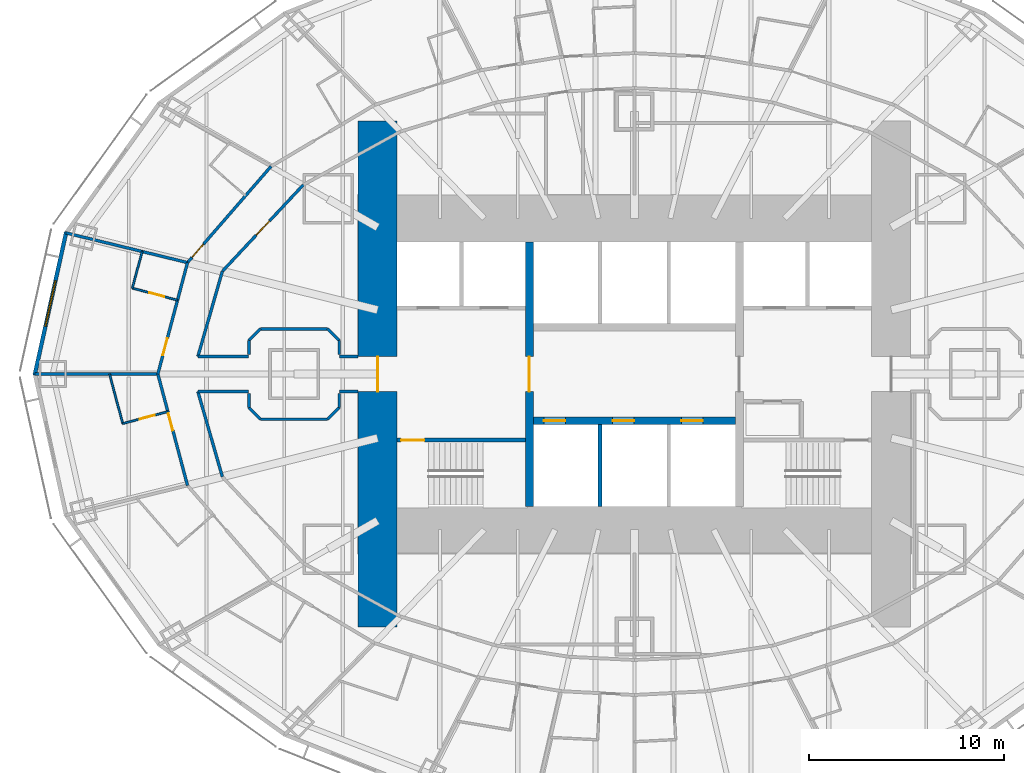
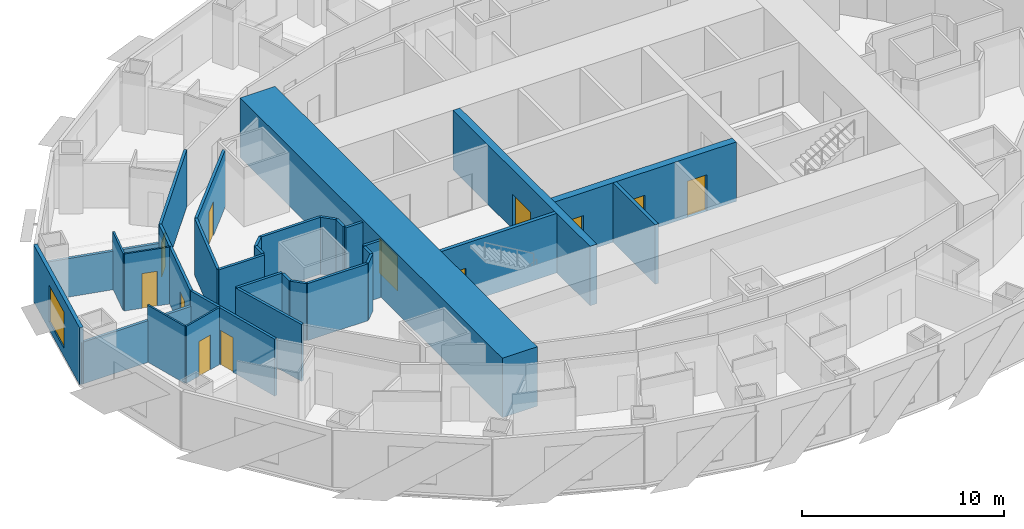
# One storey, part 6 of 15: 32 walls, 12 doors, 1 window, 13 openings.
"""IFC4 building model written with IfcOpenShell, lengths in metres."""

from ifc_helpers import new_model, si_unit, direction, frame, frame_2d, origin, place, context, subcontext, project, spatial, rectangle, extrude, material, layer, layer_set, type_object, element, fill, save


model = new_model("IFC4")

# Units and contexts
model_context = context("Model", 3, precision=1e-05, world=origin(), true_north=direction((0.0, 1.0)))
body_context = subcontext(model_context, "Body", "Model", "MODEL_VIEW")
ifc_project = project(units=[si_unit("LENGTHUNIT", "METRE"), si_unit("AREAUNIT", "SQUARE_METRE"), si_unit("VOLUMEUNIT", "CUBIC_METRE"), si_unit("PLANEANGLEUNIT", "RADIAN"), si_unit("MASSUNIT", "GRAM", prefix="KILO")], contexts=[model_context])

# Site, building, storey
site_placement = place(None, origin())
site = spatial("IfcSite", under=ifc_project, at=site_placement, CompositionType="ELEMENT")
building_placement = place(site_placement, origin())
building = spatial("IfcBuilding", under=site, at=building_placement, Name="Lantaw Convention Tower", CompositionType="ELEMENT")
storey_placement = place(building_placement, frame((0.0, 0.0, 58.60009765625)))
storey = spatial("IfcBuildingStorey", under=building, at=storey_placement, Name="L12", CompositionType="ELEMENT", Elevation=58.60009765625)

# Wall, opening, door
ifc_material_1 = material(Name="Moisture resistant gypsum board on steel studs", Category="steel")
ifc_layer_1 = layer(ifc_material_1, 0.10009765625)
ifc_layer_set_1 = layer_set([ifc_layer_1], Name="Bathroom wall 100")
wall_type_1 = type_object("IfcWallType", Name="Bathroom wall 100", PredefinedType="PARTITIONING", material=ifc_layer_set_1)
wall_1_placement = place(storey_placement, frame((-23.490234375, 3.7958984375, 0.0), z_axis=(0.0, 0.0, 1.0), x_axis=(-0.96639514992, 0.257061109879, 0.0)))
wall_1 = element("IfcWall", 1, at=wall_1_placement, inside=storey, type_object=wall_type_1, Name="Bathroom wall 100", PredefinedType="PARTITIONING", context=body_context, shape_type="SweptSolid", body=[
    extrude(rectangle(XDim=2.39990234375, YDim=0.10009765625, at=frame_2d((1.199951171875, 0.0))), origin(), (0.0, 0.0, 1.0), 3.449951171875),
])
opening_1_placement = place(wall_1_placement, frame((0.699951171875, 0.0, 0.0)))
opening_1 = element("IfcOpeningElement", 2, at=opening_1_placement, cuts=wall_1, Name="Opening L12.41", PredefinedType="OPENING", context=body_context, shape_type="SweptSolid", body=[
    extrude(rectangle(XDim=0.800048828125, YDim=2.10009765625, at=frame_2d((0.39990234375, 1.050048828125))), frame((0.0, 0.06005859375, 0.0), z_axis=(0.0, -1.0, 0.0), x_axis=(1.0, 0.0, 0.0)), (0.0, 0.0, 1.0), 0.1201171875),
])
ifc_material_2 = material(Name="Timber", Category="wood")
door_type_1 = type_object("IfcDoorType", Name="Bathroom door 800", OperationType="SINGLE_SWING_LEFT", PredefinedType="DOOR", material=ifc_material_2)
door_1_placement = place(opening_1_placement, origin())
door_1 = element("IfcDoor", 3, at=door_1_placement, inside=storey, type_object=door_type_1, Name="Bathroom door", OperationType="SINGLE_SWING_LEFT", OverallHeight=2.10009765625, OverallWidth=0.800048828125, PredefinedType="DOOR", context=body_context, shape_type="SweptSolid", body=[
    extrude(rectangle(XDim=0.800048828125, YDim=2.10009765625, at=frame_2d((0.39990234375, 1.050048828125))), frame((0.0, 0.02490234375, 0.0), z_axis=(0.0, -1.0, 0.0), x_axis=(1.0, 0.0, 0.0)), (0.0, 0.0, 1.0), 0.050048828125),
])
fill(opening_1, door_1)

# Wall
wall_2_placement = place(storey_placement, frame((-25.8095703125, 4.412841796875, 0.0), z_axis=(0.0, 0.0, 1.0), x_axis=(0.257143831715, 0.96637314212, 0.0)))
element("IfcWall", 4, at=wall_2_placement, inside=storey, type_object=wall_type_1, Name="Bathroom wall 100", PredefinedType="PARTITIONING", context=body_context, shape_type="SweptSolid", body=[
    extrude(rectangle(XDim=1.96240234375, YDim=0.10009765625, at=frame_2d((0.981201171875, 0.0))), origin(), (0.0, 0.0, 1.0), 3.449951171875),
])

# Wall, opening, door
wall_3_placement = place(storey_placement, frame((-23.98583984375, -1.932861328125, 0.0), z_axis=(0.0, 0.0, 1.0), x_axis=(-0.96639514992, -0.257061109879, 0.0)))
wall_3 = element("IfcWall", 5, at=wall_3_placement, inside=storey, type_object=wall_type_1, Name="Bathroom wall 100", PredefinedType="PARTITIONING", context=body_context, shape_type="SweptSolid", body=[
    extrude(rectangle(XDim=2.39990234375, YDim=0.10009765625, at=frame_2d((1.199951171875, 0.0))), origin(), (0.0, 0.0, 1.0), 3.449951171875),
])
opening_2_placement = place(wall_3_placement, frame((0.699951171875, 0.0, 0.0)))
opening_2 = element("IfcOpeningElement", 6, at=opening_2_placement, cuts=wall_3, Name="Opening L12.43", PredefinedType="OPENING", context=body_context, shape_type="SweptSolid", body=[
    extrude(rectangle(XDim=0.800048828125, YDim=2.10009765625, at=frame_2d((0.39990234375, 1.050048828125))), frame((0.0, 0.06005859375, 0.0), z_axis=(0.0, -1.0, 0.0), x_axis=(1.0, 0.0, 0.0)), (0.0, 0.0, 1.0), 0.1201171875),
])
door_2_placement = place(opening_2_placement, origin())
door_2 = element("IfcDoor", 7, at=door_2_placement, inside=storey, type_object=door_type_1, Name="Bathroom door", OperationType="SINGLE_SWING_LEFT", OverallHeight=2.10009765625, OverallWidth=0.800048828125, PredefinedType="DOOR", context=body_context, shape_type="SweptSolid", body=[
    extrude(rectangle(XDim=0.800048828125, YDim=2.10009765625, at=frame_2d((0.39990234375, 1.050048828125))), frame((0.0, 0.02490234375, 0.0), z_axis=(0.0, -1.0, 0.0), x_axis=(1.0, 0.0, 0.0)), (0.0, 0.0, 1.0), 0.050048828125),
])
fill(opening_2, door_2)

# Wall
wall_4_placement = place(storey_placement, frame((-26.30517578125, -2.5498046875, 0.0), z_axis=(0.0, 0.0, 1.0), x_axis=(-0.257052122515, 0.966397540513, 0.0)))
element("IfcWall", 8, at=wall_4_placement, inside=storey, type_object=wall_type_1, Name="Bathroom wall 100", PredefinedType="PARTITIONING", context=body_context, shape_type="SweptSolid", body=[
    extrude(rectangle(XDim=2.638427734375, YDim=0.10009765625, at=frame_2d((1.3193359375, 0.0))), origin(), (0.0, 0.0, 1.0), 3.449951171875),
])

# Wall, opening, door
ifc_material_3 = material(Name="Concrete C60/75", Category="concrete")
ifc_layer_2 = layer(ifc_material_3, 0.199951171875)
ifc_layer_set_2 = layer_set([ifc_layer_2], Name="Core wall 200")
wall_type_2 = type_object("IfcWallType", Name="Core wall 200", PredefinedType="SHEAR", material=ifc_layer_set_2)
wall_5_placement = place(storey_placement, frame((-5.60009765625, -3.39990234375, 0.0), z_axis=(0.0, 0.0, 1.0), x_axis=(-1.0, 0.0, 0.0)))
wall_5 = element("IfcWall", 9, at=wall_5_placement, inside=storey, type_object=wall_type_2, Name="Core wall WS", PredefinedType="SHEAR", context=body_context, shape_type="SweptSolid", body=[
    extrude(rectangle(XDim=6.599853515625, YDim=0.199951171875, at=frame_2d((3.2998046875, 0.0))), origin(), (0.0, 0.0, 1.0), 3.599853515625),
])
opening_3_placement = place(wall_5_placement, frame((5.199951171875, 0.0, 0.0)))
opening_3 = element("IfcOpeningElement", 10, at=opening_3_placement, cuts=wall_5, Name="Opening L12.05", PredefinedType="OPENING", context=body_context, shape_type="SweptSolid", body=[
    extrude(rectangle(XDim=1.199951171875, YDim=2.10009765625, at=frame_2d((0.60009765625, 1.050048828125))), frame((0.0, 0.10986328125, 0.0), z_axis=(0.0, -1.0, 0.0), x_axis=(1.0, 0.0, 0.0)), (0.0, 0.0, 1.0), 0.219970703125),
])
ifc_material_4 = material(Name="Steel, fire rated", Category="steel")
door_type_2 = type_object("IfcDoorType", Name="Stair door FD90", OperationType="SINGLE_SWING_RIGHT", PredefinedType="DOOR", material=ifc_material_4)
door_3_placement = place(opening_3_placement, origin())
door_3 = element("IfcDoor", 11, at=door_3_placement, inside=storey, type_object=door_type_2, Name="Exit stair door", OperationType="SINGLE_SWING_RIGHT", OverallHeight=2.10009765625, OverallWidth=1.199951171875, PredefinedType="DOOR", context=body_context, shape_type="SweptSolid", body=[
    extrude(rectangle(XDim=1.199951171875, YDim=2.10009765625, at=frame_2d((0.60009765625, 1.050048828125))), frame((0.0, 0.02490234375, 0.0), z_axis=(0.0, -1.0, 0.0), x_axis=(1.0, 0.0, 0.0)), (0.0, 0.0, 1.0), 0.050048828125),
])
fill(opening_3, door_3)

ifc_layer_3 = layer(ifc_material_3, 2.0)
ifc_layer_set_3 = layer_set([ifc_layer_3], Name="Core wall 2000")
wall_type_3 = type_object("IfcWallType", Name="Core wall 2000", PredefinedType="SHEAR", material=ifc_layer_set_3)
wall_6_placement = place(storey_placement, frame((-13.199951171875, 13.0, 0.0), z_axis=(0.0, 0.0, 1.0), x_axis=(0.0, -1.0, 0.0)))
wall_6 = element("IfcWall", 12, at=wall_6_placement, inside=storey, type_object=wall_type_3, Name="Core wall W", PredefinedType="SHEAR", context=body_context, shape_type="SweptSolid", body=[
    extrude(rectangle(XDim=26.0, YDim=2.0, at=frame_2d((13.0, 0.0))), origin(), (0.0, 0.0, 1.0), 3.599853515625),
])
opening_4_placement = place(wall_6_placement, frame((12.10009765625, 0.0, 0.0)))
opening_4 = element("IfcOpeningElement", 13, at=opening_4_placement, cuts=wall_6, Name="Opening L12.07", PredefinedType="OPENING", context=body_context, shape_type="SweptSolid", body=[
    extrude(rectangle(XDim=1.800048828125, YDim=2.10009765625, at=frame_2d((0.89990234375, 1.050048828125))), frame((0.0, 1.010009765625, 0.0), z_axis=(0.0, -1.0, 0.0), x_axis=(1.0, 0.0, 0.0)), (0.0, 0.0, 1.0), 2.02001953125),
])
door_type_3 = type_object("IfcDoorType", Name="Lobby double door FD90", OperationType="DOUBLE_DOOR_DOUBLE_SWING", PredefinedType="DOOR", material=ifc_material_4)
door_4_placement = place(opening_4_placement, origin())
door_4 = element("IfcDoor", 14, at=door_4_placement, inside=storey, type_object=door_type_3, Name="Firefighting lobby door", OperationType="DOUBLE_DOOR_DOUBLE_SWING", OverallHeight=2.10009765625, OverallWidth=1.800048828125, PredefinedType="DOOR", context=body_context, shape_type="SweptSolid", body=[
    extrude(rectangle(XDim=1.800048828125, YDim=2.10009765625, at=frame_2d((0.89990234375, 1.050048828125))), frame((0.0, 0.02490234375, 0.0), z_axis=(0.0, -1.0, 0.0), x_axis=(1.0, 0.0, 0.0)), (0.0, 0.0, 1.0), 0.050048828125),
])
fill(opening_4, door_4)

ifc_layer_4 = layer(ifc_material_3, 0.39990234375)
ifc_layer_set_4 = layer_set([ifc_layer_4], Name="Core wall 400")
wall_type_4 = type_object("IfcWallType", Name="Core wall 400", PredefinedType="SHEAR", material=ifc_layer_set_4)
wall_7_placement = place(storey_placement, frame((-5.39990234375, 6.800048828125, 0.0), z_axis=(0.0, 0.0, 1.0), x_axis=(0.0, -1.0, 0.0)))
wall_7 = element("IfcWall", 15, at=wall_7_placement, inside=storey, type_object=wall_type_4, Name="Core wall XW", PredefinedType="SHEAR", context=body_context, shape_type="SweptSolid", body=[
    extrude(rectangle(XDim=13.60009765625, YDim=0.39990234375, at=frame_2d((6.800048828125, 0.0))), origin(), (0.0, 0.0, 1.0), 3.599853515625),
])
opening_5_placement = place(wall_7_placement, frame((5.89990234375, 0.0, 0.0)))
opening_5 = element("IfcOpeningElement", 16, at=opening_5_placement, cuts=wall_7, Name="Opening L12.03", PredefinedType="OPENING", context=body_context, shape_type="SweptSolid", body=[
    extrude(rectangle(XDim=1.800048828125, YDim=2.10009765625, at=frame_2d((0.89990234375, 1.050048828125))), frame((0.0, 0.2099609375, 0.0), z_axis=(0.0, -1.0, 0.0), x_axis=(1.0, 0.0, 0.0)), (0.0, 0.0, 1.0), 0.419921875),
])
door_5_placement = place(opening_5_placement, origin())
door_5 = element("IfcDoor", 17, at=door_5_placement, inside=storey, type_object=door_type_3, Name="Lift lobby door", OperationType="DOUBLE_DOOR_DOUBLE_SWING", OverallHeight=2.10009765625, OverallWidth=1.800048828125, PredefinedType="DOOR", context=body_context, shape_type="SweptSolid", body=[
    extrude(rectangle(XDim=1.800048828125, YDim=2.10009765625, at=frame_2d((0.89990234375, 1.050048828125))), frame((0.0, 0.02490234375, 0.0), z_axis=(0.0, -1.0, 0.0), x_axis=(1.0, 0.0, 0.0)), (0.0, 0.0, 1.0), 0.050048828125),
])
fill(opening_5, door_5)

# Wall, openings, doors
wall_8_placement = place(storey_placement, frame((-5.199951171875, -2.39990234375, 0.0), z_axis=(0.0, 0.0, 1.0), x_axis=(1.0, 0.0, 0.0)))
wall_8 = element("IfcWall", 18, at=wall_8_placement, inside=storey, type_object=wall_type_4, Name="Core wall BS", PredefinedType="SHEAR", context=body_context, shape_type="SweptSolid", body=[
    extrude(rectangle(XDim=10.39990234375, YDim=0.39990234375, at=frame_2d((5.199951171875, 0.0))), origin(), (0.0, 0.0, 1.0), 3.599853515625),
])
opening_6_placement = place(wall_8_placement, frame((0.550048828125, 0.0, 0.0)))
opening_6 = element("IfcOpeningElement", 19, at=opening_6_placement, cuts=wall_8, Name="Opening L12.08", PredefinedType="OPENING", context=body_context, shape_type="SweptSolid", body=[
    extrude(rectangle(XDim=1.10009765625, YDim=2.199951171875, at=frame_2d((0.550048828125, 1.10009765625))), frame((0.0, 0.2099609375, 0.0), z_axis=(0.0, -1.0, 0.0), x_axis=(1.0, 0.0, 0.0)), (0.0, 0.0, 1.0), 0.419921875),
])
opening_7_placement = place(wall_8_placement, frame((4.083251953125, 0.0, 0.0)))
opening_7 = element("IfcOpeningElement", 20, at=opening_7_placement, cuts=wall_8, Name="Opening L12.09", PredefinedType="OPENING", context=body_context, shape_type="SweptSolid", body=[
    extrude(rectangle(XDim=1.10009765625, YDim=2.199951171875, at=frame_2d((0.550048828125, 1.10009765625))), frame((0.0, 0.2099609375, 0.0), z_axis=(0.0, -1.0, 0.0), x_axis=(1.0, 0.0, 0.0)), (0.0, 0.0, 1.0), 0.419921875),
])
opening_8_placement = place(wall_8_placement, frame((7.61669921875, 0.0, 0.0)))
opening_8 = element("IfcOpeningElement", 21, at=opening_8_placement, cuts=wall_8, Name="Opening L12.10", PredefinedType="OPENING", context=body_context, shape_type="SweptSolid", body=[
    extrude(rectangle(XDim=1.10009765625, YDim=2.199951171875, at=frame_2d((0.550048828125, 1.10009765625))), frame((0.0, 0.2099609375, 0.0), z_axis=(0.0, -1.0, 0.0), x_axis=(1.0, 0.0, 0.0)), (0.0, 0.0, 1.0), 0.419921875),
])
ifc_material_5 = material(Name="Stainless steel", Category="steel")
door_type_4 = type_object("IfcDoorType", Name="Lift landing door 1100", OperationType="DOUBLE_DOOR_SLIDING", PredefinedType="DOOR", material=ifc_material_5)
door_6_placement = place(opening_6_placement, origin())
door_6 = element("IfcDoor", 22, at=door_6_placement, inside=storey, type_object=door_type_4, Name="Lift landing door H1", OperationType="DOUBLE_DOOR_SLIDING", OverallHeight=2.199951171875, OverallWidth=1.10009765625, PredefinedType="DOOR", context=body_context, shape_type="SweptSolid", body=[
    extrude(rectangle(XDim=1.10009765625, YDim=2.199951171875, at=frame_2d((0.550048828125, 1.10009765625))), frame((0.0, 0.02490234375, 0.0), z_axis=(0.0, -1.0, 0.0), x_axis=(1.0, 0.0, 0.0)), (0.0, 0.0, 1.0), 0.050048828125),
])
fill(opening_6, door_6)
door_7_placement = place(opening_7_placement, origin())
door_7 = element("IfcDoor", 23, at=door_7_placement, inside=storey, type_object=door_type_4, Name="Lift landing door H2", OperationType="DOUBLE_DOOR_SLIDING", OverallHeight=2.199951171875, OverallWidth=1.10009765625, PredefinedType="DOOR", context=body_context, shape_type="SweptSolid", body=[
    extrude(rectangle(XDim=1.10009765625, YDim=2.199951171875, at=frame_2d((0.550048828125, 1.10009765625))), frame((0.0, 0.02490234375, 0.0), z_axis=(0.0, -1.0, 0.0), x_axis=(1.0, 0.0, 0.0)), (0.0, 0.0, 1.0), 0.050048828125),
])
fill(opening_7, door_7)
door_8_placement = place(opening_8_placement, origin())
door_8 = element("IfcDoor", 24, at=door_8_placement, inside=storey, type_object=door_type_4, Name="Lift landing door H3", OperationType="DOUBLE_DOOR_SLIDING", OverallHeight=2.199951171875, OverallWidth=1.10009765625, PredefinedType="DOOR", context=body_context, shape_type="SweptSolid", body=[
    extrude(rectangle(XDim=1.10009765625, YDim=2.199951171875, at=frame_2d((0.550048828125, 1.10009765625))), frame((0.0, 0.02490234375, 0.0), z_axis=(0.0, -1.0, 0.0), x_axis=(1.0, 0.0, 0.0)), (0.0, 0.0, 1.0), 0.050048828125),
])
fill(opening_8, door_8)

# Wall, opening, door
ifc_material_6 = material(Name="Gypsum board on steel studs, fire rated", Category="steel")
ifc_layer_5 = layer(ifc_material_6, 0.14990234375)
ifc_layer_set_5 = layer_set([ifc_layer_5], Name="Corridor wall 150 EI 60")
wall_type_5 = type_object("IfcWallType", Name="Corridor wall 150 EI 60", PredefinedType="PARTITIONING", material=ifc_layer_set_5)
wall_9_placement = place(storey_placement, frame((-18.681396484375, 10.675048828125, 0.0), z_axis=(0.0, 0.0, 1.0), x_axis=(-0.655599989166, -0.755108372491, 0.0)))
wall_9 = element("IfcWall", 25, at=wall_9_placement, inside=storey, type_object=wall_type_5, Name="Corridor wall 150", PredefinedType="PARTITIONING", context=body_context, shape_type="SweptSolid", body=[
    extrude(rectangle(XDim=6.55078125, YDim=0.14990234375, at=frame_2d((3.275390625, 0.0))), origin(), (0.0, 0.0, 1.0), 3.449951171875),
])
opening_9_placement = place(wall_9_placement, frame((5.30078125, 0.0, 0.0)))
opening_9 = element("IfcOpeningElement", 26, at=opening_9_placement, cuts=wall_9, Name="Opening L12.40", PredefinedType="OPENING", context=body_context, shape_type="SweptSolid", body=[
    extrude(rectangle(XDim=0.89990234375, YDim=2.10009765625, at=frame_2d((0.449951171875, 1.050048828125))), frame((0.0, 0.0849609375, 0.0), z_axis=(0.0, -1.0, 0.0), x_axis=(1.0, 0.0, 0.0)), (0.0, 0.0, 1.0), 0.169921875),
])
door_type_5 = type_object("IfcDoorType", Name="Guest room entrance door FD30S", OperationType="SINGLE_SWING_LEFT", PredefinedType="DOOR", material=ifc_material_4)
door_9_placement = place(opening_9_placement, origin())
door_9 = element("IfcDoor", 27, at=door_9_placement, inside=storey, type_object=door_type_5, Name="Guest room entrance door", OperationType="SINGLE_SWING_LEFT", OverallHeight=2.10009765625, OverallWidth=0.89990234375, PredefinedType="DOOR", context=body_context, shape_type="SweptSolid", body=[
    extrude(rectangle(XDim=0.89990234375, YDim=2.10009765625, at=frame_2d((0.449951171875, 1.050048828125))), frame((0.0, 0.02490234375, 0.0), z_axis=(0.0, -1.0, 0.0), x_axis=(1.0, 0.0, 0.0)), (0.0, 0.0, 1.0), 0.050048828125),
])
fill(opening_9, door_9)

wall_10_placement = place(storey_placement, frame((-22.97607421875, 5.728515625, 0.0), z_axis=(0.0, 0.0, 1.0), x_axis=(-0.257083265334, -0.966389256296, 0.0)))
wall_10 = element("IfcWall", 28, at=wall_10_placement, inside=storey, type_object=wall_type_5, Name="Corridor wall 150", PredefinedType="PARTITIONING", context=body_context, shape_type="SweptSolid", body=[
    extrude(rectangle(XDim=5.927734375, YDim=0.14990234375, at=frame_2d((2.9638671875, 0.0))), origin(), (0.0, 0.0, 1.0), 3.449951171875),
])
opening_10_placement = place(wall_10_placement, frame((4.023193359375, 0.0, 0.0)))
opening_10 = element("IfcOpeningElement", 29, at=opening_10_placement, cuts=wall_10, Name="Opening L12.42", PredefinedType="OPENING", context=body_context, shape_type="SweptSolid", body=[
    extrude(rectangle(XDim=0.89990234375, YDim=2.10009765625, at=frame_2d((0.449951171875, 1.050048828125))), frame((0.0, 0.0849609375, 0.0), z_axis=(0.0, -1.0, 0.0), x_axis=(1.0, 0.0, 0.0)), (0.0, 0.0, 1.0), 0.169921875),
])
door_10_placement = place(opening_10_placement, origin())
door_10 = element("IfcDoor", 30, at=door_10_placement, inside=storey, type_object=door_type_5, Name="Guest room entrance door", OperationType="SINGLE_SWING_LEFT", OverallHeight=2.10009765625, OverallWidth=0.89990234375, PredefinedType="DOOR", context=body_context, shape_type="SweptSolid", body=[
    extrude(rectangle(XDim=0.89990234375, YDim=2.10009765625, at=frame_2d((0.449951171875, 1.050048828125))), frame((0.0, 0.02490234375, 0.0), z_axis=(0.0, -1.0, 0.0), x_axis=(1.0, 0.0, 0.0)), (0.0, 0.0, 1.0), 0.050048828125),
])
fill(opening_10, door_10)

wall_11_placement = place(storey_placement, frame((-24.5, 0.0, 0.0), z_axis=(0.0, 0.0, 1.0), x_axis=(0.257083265334, -0.966389256296, 0.0)))
wall_11 = element("IfcWall", 31, at=wall_11_placement, inside=storey, type_object=wall_type_5, Name="Corridor wall 150", PredefinedType="PARTITIONING", context=body_context, shape_type="SweptSolid", body=[
    extrude(rectangle(XDim=5.927734375, YDim=0.14990234375, at=frame_2d((2.9638671875, 0.0))), origin(), (0.0, 0.0, 1.0), 3.449951171875),
])
opening_11_placement = place(wall_11_placement, frame((2.10009765625, 0.0, 0.0)))
opening_11 = element("IfcOpeningElement", 32, at=opening_11_placement, cuts=wall_11, Name="Opening L12.44", PredefinedType="OPENING", context=body_context, shape_type="SweptSolid", body=[
    extrude(rectangle(XDim=0.89990234375, YDim=2.10009765625, at=frame_2d((0.449951171875, 1.050048828125))), frame((0.0, 0.0849609375, 0.0), z_axis=(0.0, -1.0, 0.0), x_axis=(1.0, 0.0, 0.0)), (0.0, 0.0, 1.0), 0.169921875),
])
door_11_placement = place(opening_11_placement, origin())
door_11 = element("IfcDoor", 33, at=door_11_placement, inside=storey, type_object=door_type_5, Name="Guest room entrance door", OperationType="SINGLE_SWING_LEFT", OverallHeight=2.10009765625, OverallWidth=0.89990234375, PredefinedType="DOOR", context=body_context, shape_type="SweptSolid", body=[
    extrude(rectangle(XDim=0.89990234375, YDim=2.10009765625, at=frame_2d((0.449951171875, 1.050048828125))), frame((0.0, 0.02490234375, 0.0), z_axis=(0.0, -1.0, 0.0), x_axis=(1.0, 0.0, 0.0)), (0.0, 0.0, 1.0), 0.050048828125),
])
fill(opening_11, door_11)

wall_12_placement = place(storey_placement, frame((-17.020751953125, 9.72607421875, 0.0), z_axis=(0.0, 0.0, 1.0), x_axis=(-0.68365836236, -0.729802194828, 0.0)))
wall_12 = element("IfcWall", 34, at=wall_12_placement, inside=storey, type_object=wall_type_5, Name="Corridor wall 150", PredefinedType="PARTITIONING", context=body_context, shape_type="SweptSolid", body=[
    extrude(rectangle(XDim=6.08984375, YDim=0.14990234375, at=frame_2d((3.044921875, 0.0))), origin(), (0.0, 0.0, 1.0), 3.449951171875),
])
opening_12_placement = place(wall_12_placement, frame((2.544921875, 0.0, 0.0)))
opening_12 = element("IfcOpeningElement", 35, at=opening_12_placement, cuts=wall_12, Name="Opening L12.20", PredefinedType="OPENING", context=body_context, shape_type="SweptSolid", body=[
    extrude(rectangle(XDim=1.0, YDim=2.10009765625, at=frame_2d((0.5, 1.050048828125))), frame((0.0, 0.0849609375, 0.0), z_axis=(0.0, -1.0, 0.0), x_axis=(1.0, 0.0, 0.0)), (0.0, 0.0, 1.0), 0.169921875),
])
door_type_6 = type_object("IfcDoorType", Name="Service door 1000 FD30", OperationType="SINGLE_SWING_LEFT", PredefinedType="DOOR", material=ifc_material_4)
door_12_placement = place(opening_12_placement, origin())
door_12 = element("IfcDoor", 36, at=door_12_placement, inside=storey, type_object=door_type_6, Name="Housekeeping room door", OperationType="SINGLE_SWING_LEFT", OverallHeight=2.10009765625, OverallWidth=1.0, PredefinedType="DOOR", context=body_context, shape_type="SweptSolid", body=[
    extrude(rectangle(XDim=1.0, YDim=2.10009765625, at=frame_2d((0.5, 1.050048828125))), frame((0.0, 0.02490234375, 0.0), z_axis=(0.0, -1.0, 0.0), x_axis=(1.0, 0.0, 0.0)), (0.0, 0.0, 1.0), 0.050048828125),
])
fill(opening_12, door_12)

# Walls
for number, where, z_axis, x_axis, name in (
    (37, (-21.18408203125, 5.28173828125, 0.0), (0.0, 0.0, 1.0), (-0.27585972825, -0.961197903831, 0.0), "Corridor wall 150"),
    (38, (-22.441650390625, -0.89990234375, 0.0), (0.0, 0.0, 1.0), (0.27585972825, -0.961197903831, 0.0), "Corridor wall 150"),
):
    element("IfcWall", number, at=place(storey_placement, frame(where, z_axis=z_axis, x_axis=x_axis)), inside=storey, type_object=wall_type_5, Name=name, PredefinedType="PARTITIONING", context=body_context, shape_type="SweptSolid", body=[
        extrude(rectangle(XDim=4.558837890625, YDim=0.14990234375, at=frame_2d((2.279296875, 0.0))), origin(), (0.0, 0.0, 1.0), 3.449951171875),
    ])
wall_13_placement = place(storey_placement, frame((-14.199951171875, -0.89990234375, 0.0), z_axis=(0.0, 0.0, 1.0), x_axis=(-1.0, 0.0, 0.0)))
element("IfcWall", 39, at=wall_13_placement, inside=storey, type_object=wall_type_5, Name="Corridor wall 150", PredefinedType="PARTITIONING", context=body_context, shape_type="SweptSolid", body=[
    extrude(rectangle(XDim=0.965087890625, YDim=0.14990234375, at=frame_2d((0.482421875, 0.0))), origin(), (0.0, 0.0, 1.0), 3.449951171875),
])
wall_14_placement = place(storey_placement, frame((-19.8349609375, -0.89990234375, 0.0), z_axis=(0.0, 0.0, 1.0), x_axis=(-1.0, 0.0, 0.0)))
element("IfcWall", 40, at=wall_14_placement, inside=storey, type_object=wall_type_5, Name="Corridor wall 150", PredefinedType="PARTITIONING", context=body_context, shape_type="SweptSolid", body=[
    extrude(rectangle(XDim=2.606689453125, YDim=0.14990234375, at=frame_2d((1.30322265625, 0.0))), origin(), (0.0, 0.0, 1.0), 3.449951171875),
])
wall_15_placement = place(storey_placement, frame((-14.199951171875, 0.89990234375, 0.0), z_axis=(0.0, 0.0, 1.0), x_axis=(-1.0, 0.0, 0.0)))
element("IfcWall", 41, at=wall_15_placement, inside=storey, type_object=wall_type_5, Name="Corridor wall 150", PredefinedType="PARTITIONING", context=body_context, shape_type="SweptSolid", body=[
    extrude(rectangle(XDim=0.965087890625, YDim=0.14990234375, at=frame_2d((0.482421875, 0.0))), origin(), (0.0, 0.0, 1.0), 3.449951171875),
])
wall_16_placement = place(storey_placement, frame((-19.8349609375, 0.89990234375, 0.0), z_axis=(0.0, 0.0, 1.0), x_axis=(-1.0, 0.0, 0.0)))
element("IfcWall", 42, at=wall_16_placement, inside=storey, type_object=wall_type_5, Name="Corridor wall 150", PredefinedType="PARTITIONING", context=body_context, shape_type="SweptSolid", body=[
    extrude(rectangle(XDim=2.606689453125, YDim=0.14990234375, at=frame_2d((1.30322265625, 0.0))), origin(), (0.0, 0.0, 1.0), 3.449951171875),
])
wall_17_placement = place(storey_placement, frame((-19.824951171875, 1.003173828125, 0.0), z_axis=(0.0, 0.0, 1.0), x_axis=(0.0, 1.0, 0.0)))
element("IfcWall", 43, at=wall_17_placement, inside=storey, type_object=wall_type_5, Name="Corridor wall 150", PredefinedType="PARTITIONING", context=body_context, shape_type="SweptSolid", body=[
    extrude(rectangle(XDim=0.721435546875, YDim=0.14990234375, at=frame_2d((0.36083984375, 0.0))), origin(), (0.0, 0.0, 1.0), 3.449951171875),
])
wall_18_placement = place(storey_placement, frame((-19.824951171875, 1.724609375, 0.0), z_axis=(0.0, 0.0, 1.0), x_axis=(0.707106781187, 0.707106781187, 0.0)))
element("IfcWall", 44, at=wall_18_placement, inside=storey, type_object=wall_type_5, Name="Corridor wall 150", PredefinedType="PARTITIONING", context=body_context, shape_type="SweptSolid", body=[
    extrude(rectangle(XDim=0.84912109375, YDim=0.14990234375, at=frame_2d((0.424560546875, 0.0))), origin(), (0.0, 0.0, 1.0), 3.449951171875),
])
wall_19_placement = place(storey_placement, frame((-19.224609375, 2.324951171875, 0.0), z_axis=(0.0, 0.0, 1.0), x_axis=(1.0, 0.0, 0.0)))
element("IfcWall", 45, at=wall_19_placement, inside=storey, type_object=wall_type_5, Name="Corridor wall 150", PredefinedType="PARTITIONING", context=body_context, shape_type="SweptSolid", body=[
    extrude(rectangle(XDim=3.44921875, YDim=0.14990234375, at=frame_2d((1.724609375, 0.0))), origin(), (0.0, 0.0, 1.0), 3.449951171875),
])
wall_20_placement = place(storey_placement, frame((-15.775390625, 2.324951171875, 0.0), z_axis=(0.0, 0.0, 1.0), x_axis=(0.707106781187, -0.707106781187, 0.0)))
element("IfcWall", 46, at=wall_20_placement, inside=storey, type_object=wall_type_5, Name="Corridor wall 150", PredefinedType="PARTITIONING", context=body_context, shape_type="SweptSolid", body=[
    extrude(rectangle(XDim=0.84912109375, YDim=0.14990234375, at=frame_2d((0.424560546875, 0.0))), origin(), (0.0, 0.0, 1.0), 3.449951171875),
])
for number, where, z_axis, x_axis, name in (
    (47, (-15.175048828125, 1.724609375, 0.0), (0.0, 0.0, 1.0), (0.0, -1.0, 0.0), "Corridor wall 150"),
    (48, (-19.824951171875, -1.724609375, 0.0), (0.0, 0.0, 1.0), (0.0, 1.0, 0.0), "Corridor wall 150"),
    (49, (-15.175048828125, -1.003173828125, 0.0), (0.0, 0.0, 1.0), (0.0, -1.0, 0.0), "Corridor wall 150"),
):
    element("IfcWall", number, at=place(storey_placement, frame(where, z_axis=z_axis, x_axis=x_axis)), inside=storey, type_object=wall_type_5, Name=name, PredefinedType="PARTITIONING", context=body_context, shape_type="SweptSolid", body=[
        extrude(rectangle(XDim=0.721435546875, YDim=0.14990234375, at=frame_2d((0.36083984375, 0.0))), origin(), (0.0, 0.0, 1.0), 3.449951171875),
    ])
wall_21_placement = place(storey_placement, frame((-15.175048828125, -1.724609375, 0.0), z_axis=(0.0, 0.0, 1.0), x_axis=(-0.707106781187, -0.707106781187, 0.0)))
element("IfcWall", 50, at=wall_21_placement, inside=storey, type_object=wall_type_5, Name="Corridor wall 150", PredefinedType="PARTITIONING", context=body_context, shape_type="SweptSolid", body=[
    extrude(rectangle(XDim=0.84912109375, YDim=0.14990234375, at=frame_2d((0.424560546875, 0.0))), origin(), (0.0, 0.0, 1.0), 3.449951171875),
])
wall_22_placement = place(storey_placement, frame((-15.775390625, -2.324951171875, 0.0), z_axis=(0.0, 0.0, 1.0), x_axis=(-1.0, 0.0, 0.0)))
element("IfcWall", 51, at=wall_22_placement, inside=storey, type_object=wall_type_5, Name="Corridor wall 150", PredefinedType="PARTITIONING", context=body_context, shape_type="SweptSolid", body=[
    extrude(rectangle(XDim=3.44921875, YDim=0.14990234375, at=frame_2d((1.724609375, 0.0))), origin(), (0.0, 0.0, 1.0), 3.449951171875),
])
wall_23_placement = place(storey_placement, frame((-19.224609375, -2.324951171875, 0.0), z_axis=(0.0, 0.0, 1.0), x_axis=(-0.707106781187, 0.707106781187, 0.0)))
element("IfcWall", 52, at=wall_23_placement, inside=storey, type_object=wall_type_5, Name="Corridor wall 150", PredefinedType="PARTITIONING", context=body_context, shape_type="SweptSolid", body=[
    extrude(rectangle(XDim=0.84912109375, YDim=0.14990234375, at=frame_2d((0.424560546875, 0.0))), origin(), (0.0, 0.0, 1.0), 3.449951171875),
])

# Wall, opening, window
ifc_material_7 = material(Name="Insulated aluminium panel on steel frame", Category="steel")
ifc_layer_6 = layer(ifc_material_7, 0.199951171875)
ifc_layer_set_6 = layer_set([ifc_layer_6], Name="External wall 200")
wall_type_6 = type_object("IfcWallType", Name="External wall 200", PredefinedType="SOLIDWALL", material=ifc_layer_set_6)
wall_24_placement = place(storey_placement, frame((-29.207763671875, 7.318115234375, 0.0), z_axis=(0.0, 0.0, 1.0), x_axis=(-0.215238065514, -0.976561608478, 0.0)))
wall_24 = element("IfcWall", 53, at=wall_24_placement, inside=storey, type_object=wall_type_6, Name="Facade panel wall", PredefinedType="SOLIDWALL", context=body_context, shape_type="SweptSolid", body=[
    extrude(rectangle(XDim=7.562255859375, YDim=0.199951171875, at=frame_2d((3.78125, 0.0))), origin(), (0.0, 0.0, 1.0), 3.449951171875),
])
opening_13_placement = place(wall_24_placement, frame((2.581298828125, 0.0, 0.5)))
opening_13 = element("IfcOpeningElement", 54, at=opening_13_placement, cuts=wall_24, Name="Opening W1", PredefinedType="OPENING", context=body_context, shape_type="SweptSolid", body=[
    extrude(rectangle(XDim=2.39990234375, YDim=2.199951171875, at=frame_2d((1.199951171875, 1.10009765625))), frame((0.0, 0.10986328125, 0.0), z_axis=(0.0, -1.0, 0.0), x_axis=(1.0, 0.0, 0.0)), (0.0, 0.0, 1.0), 0.219970703125),
])
ifc_material_8 = material(Name="Aluminium frame, clear insulating glass", Category="aluminium")
window_type = type_object("IfcWindowType", Name="Guest room window 2400x2200", PartitioningType="SINGLE_PANEL", PredefinedType="WINDOW", material=ifc_material_8)
window_placement = place(opening_13_placement, origin())
window = element("IfcWindow", 55, at=window_placement, inside=storey, type_object=window_type, Name="Guest room window", OverallHeight=2.199951171875, OverallWidth=2.39990234375, PartitioningType="SINGLE_PANEL", PredefinedType="WINDOW", context=body_context, shape_type="SweptSolid", body=[
    extrude(rectangle(XDim=2.39990234375, YDim=2.199951171875, at=frame_2d((1.199951171875, 1.10009765625))), frame((0.0, 0.030029296875, 0.0), z_axis=(0.0, -1.0, 0.0), x_axis=(1.0, 0.0, 0.0)), (0.0, 0.0, 1.0), 0.06005859375),
])
fill(opening_13, window)

# Walls
ifc_material_9 = material(Name="Gypsum board on steel studs, acoustic", Category="steel")
ifc_layer_7 = layer(ifc_material_9, 0.14990234375)
ifc_layer_set_7 = layer_set([ifc_layer_7], Name="Guest room party wall 150")
wall_type_7 = type_object("IfcWallType", Name="Guest room party wall 150", PredefinedType="PARTITIONING", material=ifc_layer_set_7)
wall_25_placement = place(storey_placement, frame((-29.221923828125, 7.253662109375, 0.0), z_axis=(0.0, 0.0, 1.0), x_axis=(0.971456980633, -0.237215797913, 0.0)))
element("IfcWall", 56, at=wall_25_placement, inside=storey, type_object=wall_type_7, Name="Guest room party wall 150", PredefinedType="PARTITIONING", context=body_context, shape_type="SweptSolid", body=[
    extrude(rectangle(XDim=6.429443359375, YDim=0.14990234375, at=frame_2d((3.21484375, 0.0))), origin(), (0.0, 0.0, 1.0), 2.332275390625),
])
wall_26_placement = place(storey_placement, frame((-30.82080078125, 0.0, 0.0), z_axis=(0.0, 0.0, 1.0), x_axis=(1.0, 0.0, 0.0)))
element("IfcWall", 57, at=wall_26_placement, inside=storey, type_object=wall_type_7, Name="Guest room party wall 150", PredefinedType="PARTITIONING", context=body_context, shape_type="SweptSolid", body=[
    extrude(rectangle(XDim=6.32080078125, YDim=0.14990234375, at=frame_2d((3.160400390625, 0.0))), origin(), (0.0, 0.0, 1.0), 2.52783203125),
])
ifc_material_10 = material(Name="Concrete blockwork, fire rated", Category="masonry")
ifc_layer_8 = layer(ifc_material_10, 0.199951171875)
ifc_layer_set_8 = layer_set([ifc_layer_8], Name="Shaft wall 200 load-bearing")
wall_type_8 = type_object("IfcWallType", Name="Shaft wall 200 load-bearing", PredefinedType="SOLIDWALL", material=ifc_layer_set_8)
wall_27_placement = place(storey_placement, frame((-1.7666015625, -2.60009765625, 0.0), z_axis=(0.0, 0.0, 1.0), x_axis=(0.0, -1.0, 0.0)))
element("IfcWall", 58, at=wall_27_placement, inside=storey, type_object=wall_type_8, Name="Shaft wall DS1", PredefinedType="SOLIDWALL", context=body_context, shape_type="SweptSolid", body=[
    extrude(rectangle(XDim=4.199951171875, YDim=0.199951171875, at=frame_2d((2.10009765625, 0.0))), origin(), (0.0, 0.0, 1.0), 3.599853515625),
])

save(model, "model.ifc")
